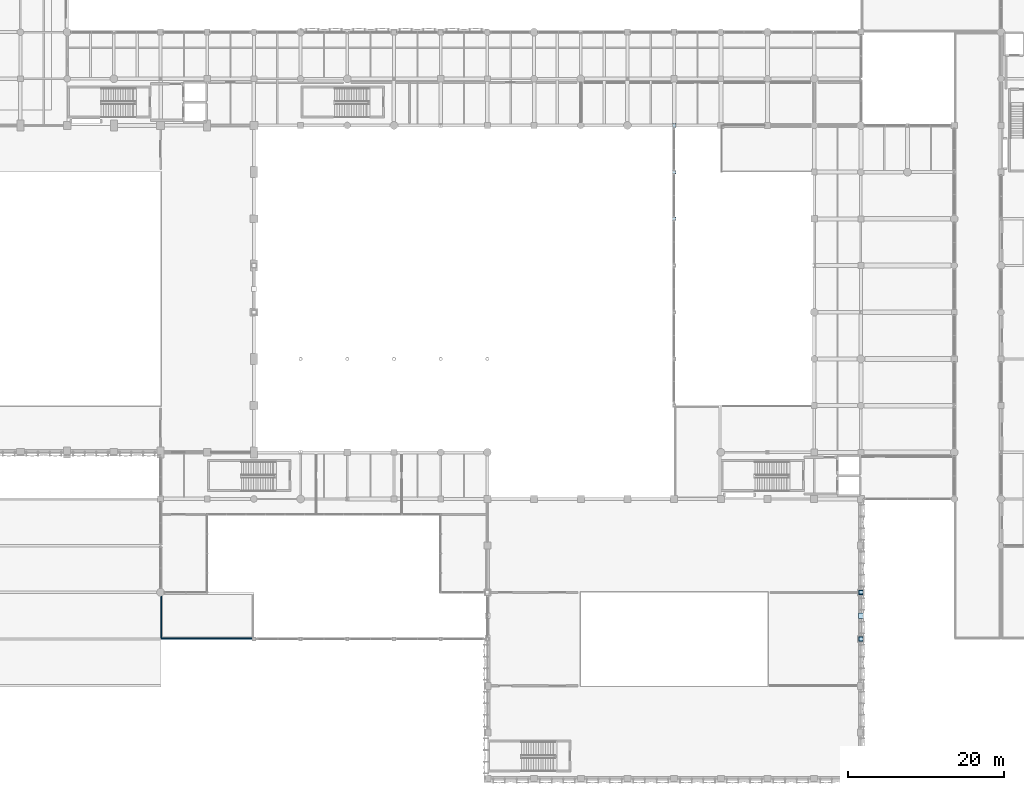
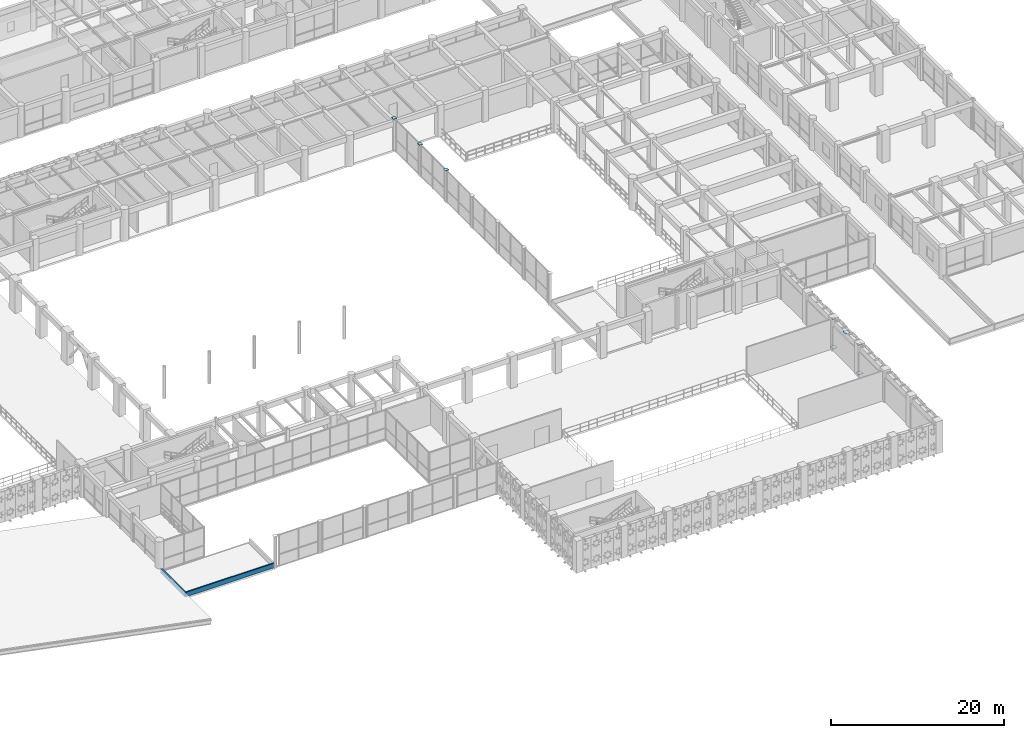
# One storey, part 96 of 133: 8 plates, 2 walls.
"""IFC4 building model written with IfcOpenShell, lengths in metres."""

from ifc_helpers import new_model, si_unit, direction, frame, frame_2d, origin, origin_2d, place, context, subcontext, project, spatial, rectangle, extrude, material, layer, layer_set, type_object, element, save


model = new_model("IFC4")

# Units and contexts
model_context = context("Model", 3, precision=1e-05, world=origin(), true_north=direction((0.0, 1.0)))
body_context = subcontext(model_context, "Body", "Model", "MODEL_VIEW")
ifc_project = project(units=[si_unit("LENGTHUNIT", "METRE"), si_unit("AREAUNIT", "SQUARE_METRE"), si_unit("VOLUMEUNIT", "CUBIC_METRE"), si_unit("PLANEANGLEUNIT", "RADIAN"), si_unit("MASSUNIT", "GRAM", prefix="KILO"), si_unit("THERMODYNAMICTEMPERATUREUNIT", "KELVIN"), si_unit("POWERUNIT", "WATT")], contexts=[model_context])

# Site, building, storey
site_placement = place(None, origin())
site = spatial("IfcSite", under=ifc_project, at=site_placement, CompositionType="ELEMENT")
building_placement = place(site_placement, origin())
building = spatial("IfcBuilding", under=site, at=building_placement, Name="Phaisarnlok Congress Hotel", CompositionType="ELEMENT")
storey_placement = place(building_placement, frame((0.0, 0.0, 6.0)))
storey = spatial("IfcBuildingStorey", under=building, at=storey_placement, Name="L01", CompositionType="ELEMENT", Elevation=6.0)

# Plates
ifc_material_1 = material(Name="Steel S355", Category="steel")
ifc_layer_1 = layer(ifc_material_1, 0.0400390625, Name="Steel S355")
ifc_layer_set_1 = layer_set([ifc_layer_1], Name="Steel S355")
plate_type_1 = type_object("IfcPlateType", Name="PLT-CAP-480", PredefinedType="SHEET", material=ifc_layer_set_1)
for number, where, z_axis, x_axis, name in (
    (1, (120.0, 72.0, 4.47998046875), (0.0, 0.0, 1.0), (1.0, 0.0, 0.0), "Steel column cap/base plate NP-04 at NP-COLT-COL-L01-120-072"),
    (2, (120.0, 78.0, 4.47998046875), (0.0, 0.0, 1.0), (1.0, 0.0, 0.0), "Steel column cap/base plate NP-04 at NP-COLT-COL-L01-120-078"),
    (3, (120.0, 84.0, 4.47998046875), (0.0, 0.0, 1.0), (1.0, 0.0, 0.0), "Steel column cap/base plate NP-04 at NP-COLT-COL-L01-120-084"),
):
    element("IfcPlate", number, at=place(storey_placement, frame(where, z_axis=z_axis, x_axis=x_axis)), inside=storey, type_object=plate_type_1, Name=name, PredefinedType="SHEET", context=body_context, shape_type="SweptSolid", body=[
        extrude(rectangle(XDim=0.47998046875, YDim=0.47998046875, at=origin_2d()), origin(), (0.0, 0.0, 1.0), 0.0400390625),
    ])
ifc_layer_2 = layer(ifc_material_1, 0.01611328125, Name="Steel S355")
ifc_layer_set_2 = layer_set([ifc_layer_2], Name="Steel S355")
plate_type_2 = type_object("IfcPlateType", Name="PLT-GUS-650", PredefinedType="SHEET", material=ifc_layer_set_2)
for number, where, z_axis, x_axis, name in (
    (4, (144.0, 18.0, 0.141845703125), (0.0, 0.0, 1.0), (1.0, 0.0, 0.0), "Steel truss node plate NP-05 at NP-BF-D-L01-A"),
    (5, (144.0, 24.0, 0.141845703125), (0.0, 0.0, 1.0), (1.0, 0.0, 0.0), "Steel truss node plate NP-05 at NP-BF-D-L01-B"),
    (6, (144.0, 21.0, 4.092041015625), (0.0, 0.0, 1.0), (1.0, 0.0, 0.0), "Steel truss node plate NP-05 at NP-BF-D-L01-M"),
):
    element("IfcPlate", number, at=place(storey_placement, frame(where, z_axis=z_axis, x_axis=x_axis)), inside=storey, type_object=plate_type_2, Name=name, PredefinedType="SHEET", context=body_context, shape_type="SweptSolid", body=[
        extrude(rectangle(XDim=0.64990234375, YDim=0.64990234375, at=origin_2d()), origin(), (0.0, 0.0, 1.0), 0.01611328125),
    ])
ifc_layer_3 = layer(ifc_material_1, 0.02001953125, Name="Steel S355")
ifc_layer_set_3 = layer_set([ifc_layer_3], Name="Steel S355")
plate_type_3 = type_object("IfcPlateType", Name="PLT-NODE-480", PredefinedType="SHEET", material=ifc_layer_set_3)
for number, where, z_axis, x_axis, name in (
    (7, (144.0, 18.0, 4.2099609375), (0.0, 0.0, 1.0), (1.0, 0.0, 0.0), "Steel truss node plate NP-03 at NP-BF-D-L01-T1"),
    (8, (144.0, 24.0, 4.2099609375), (0.0, 0.0, 1.0), (1.0, 0.0, 0.0), "Steel truss node plate NP-03 at NP-BF-D-L01-T2"),
):
    element("IfcPlate", number, at=place(storey_placement, frame(where, z_axis=z_axis, x_axis=x_axis)), inside=storey, type_object=plate_type_3, Name=name, PredefinedType="SHEET", context=body_context, shape_type="SweptSolid", body=[
        extrude(rectangle(XDim=0.47998046875, YDim=0.47998046875, at=origin_2d()), origin(), (0.0, 0.0, 1.0), 0.02001953125),
    ])

# Walls
ifc_material_2 = material(Name="Concrete C40/50", Category="concrete")
ifc_layer_4 = layer(ifc_material_2, 0.169921875, Name="Concrete C40/50")
ifc_layer_set_4 = layer_set([ifc_layer_4], Name="Concrete C40/50")
wall_type = type_object("IfcWallType", Name="WL-PAR-170", PredefinedType="PARAPET", material=ifc_layer_set_4)
wall_1_placement = place(storey_placement, frame((54.090087890625, 23.699951171875, 0.0), z_axis=(0.0, 0.0, 1.0), x_axis=(0.0, -1.0, 0.0)))
element("IfcWall", 9, at=wall_1_placement, inside=storey, type_object=wall_type, Name="Podium roof parapet WP-02 (L01)", PredefinedType="PARAPET", context=body_context, shape_type="SweptSolid", body=[
    extrude(rectangle(XDim=5.60986328125, YDim=0.169921875, at=frame_2d((2.804931640625, 0.0))), origin(), (0.0, 0.0, 1.0), 0.64990234375),
])
wall_2_placement = place(storey_placement, frame((54.090087890625, 18.090087890625, 0.0), z_axis=(0.0, 0.0, 1.0), x_axis=(1.0, 0.0, 0.0)))
element("IfcWall", 10, at=wall_2_placement, inside=storey, type_object=wall_type, Name="Podium roof parapet WP-02 (L01)", PredefinedType="PARAPET", context=body_context, shape_type="SweptSolid", body=[
    extrude(rectangle(XDim=11.81982421875, YDim=0.169921875, at=frame_2d((5.909912109375, 0.0))), origin(), (0.0, 0.0, 1.0), 0.64990234375),
])

save(model, "model.ifc")
